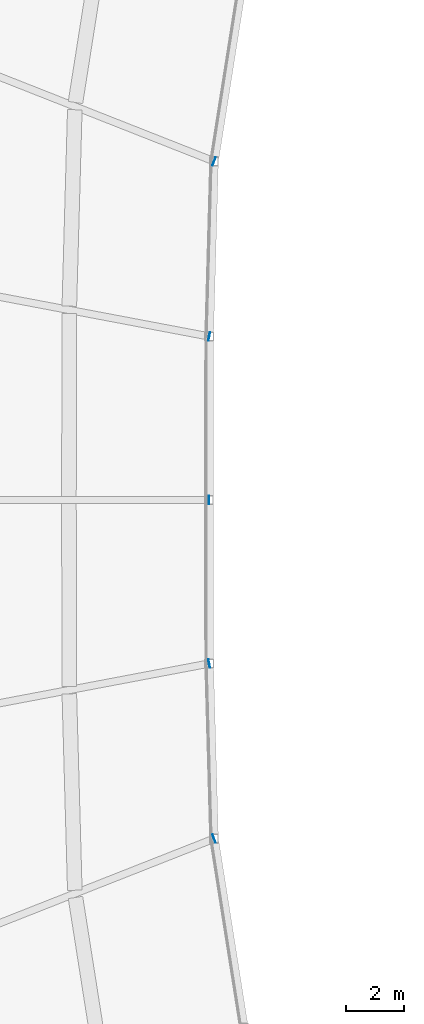
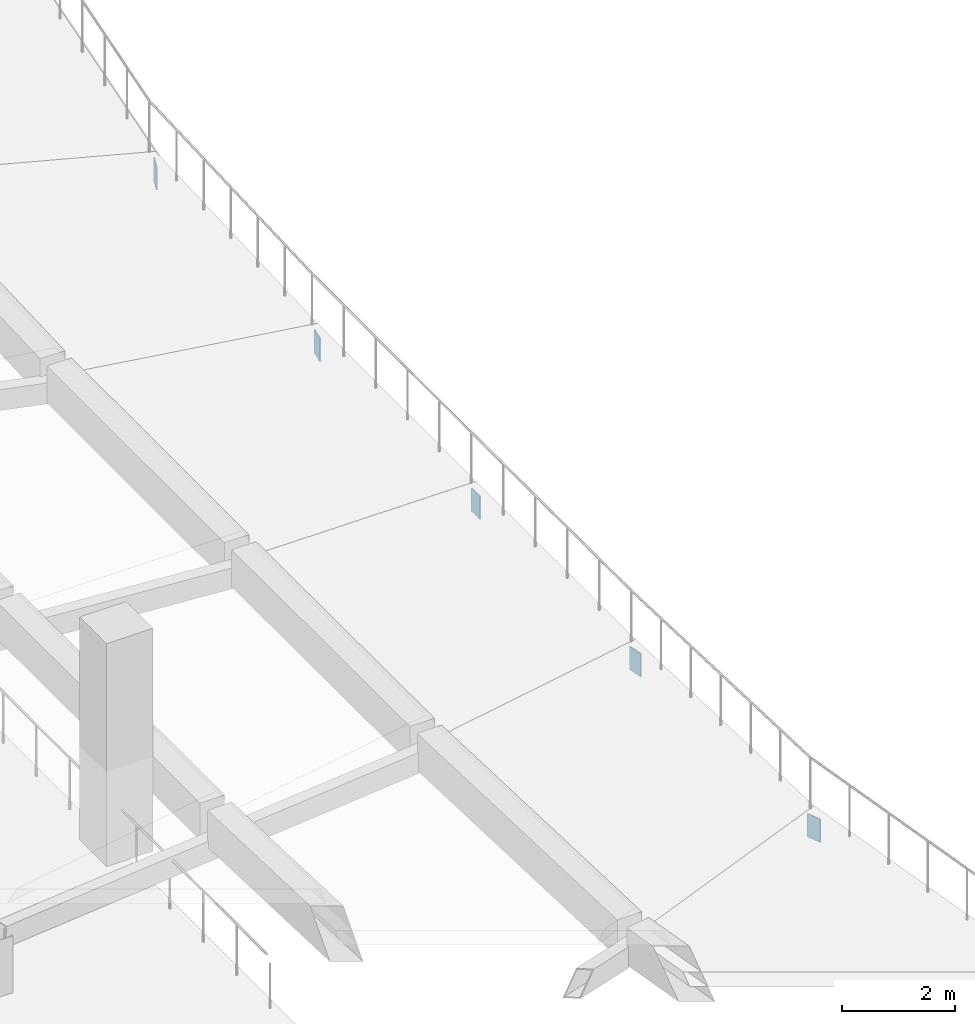
# One storey, part 42 of 77: 5 plates.
"""IFC4 building model written with IfcOpenShell, lengths in metres."""

from ifc_helpers import new_model, si_unit, direction, frame, origin, origin_2d, place, context, subcontext, project, spatial, rectangle, extrude, material, layer, layer_set, type_object, element, save


model = new_model("IFC4")

# Units and contexts
model_context = context("Model", 3, precision=1e-05, world=origin(), true_north=direction((0.0, 1.0)))
body_context = subcontext(model_context, "Body", "Model", "MODEL_VIEW")
ifc_project = project(units=[si_unit("LENGTHUNIT", "METRE"), si_unit("AREAUNIT", "SQUARE_METRE"), si_unit("VOLUMEUNIT", "CUBIC_METRE"), si_unit("PLANEANGLEUNIT", "RADIAN"), si_unit("MASSUNIT", "GRAM", prefix="KILO")], contexts=[model_context])

# Site, building, storey
site_placement = place(None, origin())
site = spatial("IfcSite", under=ifc_project, at=site_placement, CompositionType="ELEMENT")
building_placement = place(site_placement, origin())
building = spatial("IfcBuilding", under=site, at=building_placement, Name="Luwafu Chhajja Arena", CompositionType="ELEMENT")
storey_placement = place(building_placement, frame((0.0, 0.0, 14.699951171875)))
storey = spatial("IfcBuildingStorey", under=building, at=storey_placement, Name="L03", CompositionType="ELEMENT", Elevation=14.699951171875)

# Plates
ifc_material = material(Name="Steel S355", Category="steel")
ifc_layer = layer(ifc_material, 0.02392578125, Name="Steel S355")
ifc_layer_set = layer_set([ifc_layer], Name="Steel S355")
plate_type = type_object("IfcPlateType", Name="Raker Hollow End Closure Plate FN-2", PredefinedType="USERDEFINED", material=ifc_layer_set)
for number, where, z_axis, x_axis, name in (
    (1, (68.676513671875, 61.11328125, 0.10009765625), (0.0, 0.0, 1.0), (-0.930318802637, 0.366751858156, 0.0), "Upper Raker End Cap Plate FN-2 15"),
    (2, (68.50830078125, 55.10791015625, 0.10009765625), (0.0, 0.0, 1.0), (-0.982548021317, 0.186009101406, 0.0), "Upper Raker End Cap Plate FN-2 16"),
    (3, (68.5, 49.5, 0.10009765625), (0.0, 0.0, 1.0), (-1.0, 0.0, 0.0), "Upper Raker End Cap Plate FN-2 17"),
    (4, (68.50830078125, 43.89208984375, 0.10009765625), (0.0, 0.0, 1.0), (-0.982548021317, -0.186009101406, 0.0), "Upper Raker End Cap Plate FN-2 18"),
    (5, (68.676513671875, 37.88671875, 0.10009765625), (0.0, 0.0, 1.0), (-0.930318802637, -0.366751858156, 0.0), "Upper Raker End Cap Plate FN-2 19"),
):
    element("IfcPlate", number, at=place(storey_placement, frame(where, z_axis=z_axis, x_axis=x_axis)), inside=storey, type_object=plate_type, Name=name, ObjectType="GUSSET PLATE", PredefinedType="USERDEFINED", context=body_context, shape_type="SweptSolid", body=[
        extrude(rectangle(XDim=0.02392578125, YDim=0.300048828125, at=origin_2d()), origin(), (0.0, 0.0, 1.0), 0.5),
    ])

save(model, "model.ifc")
